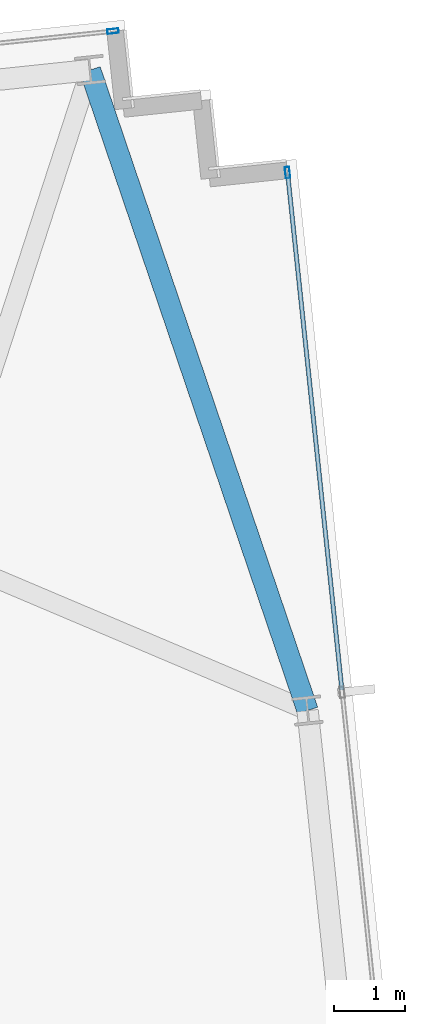
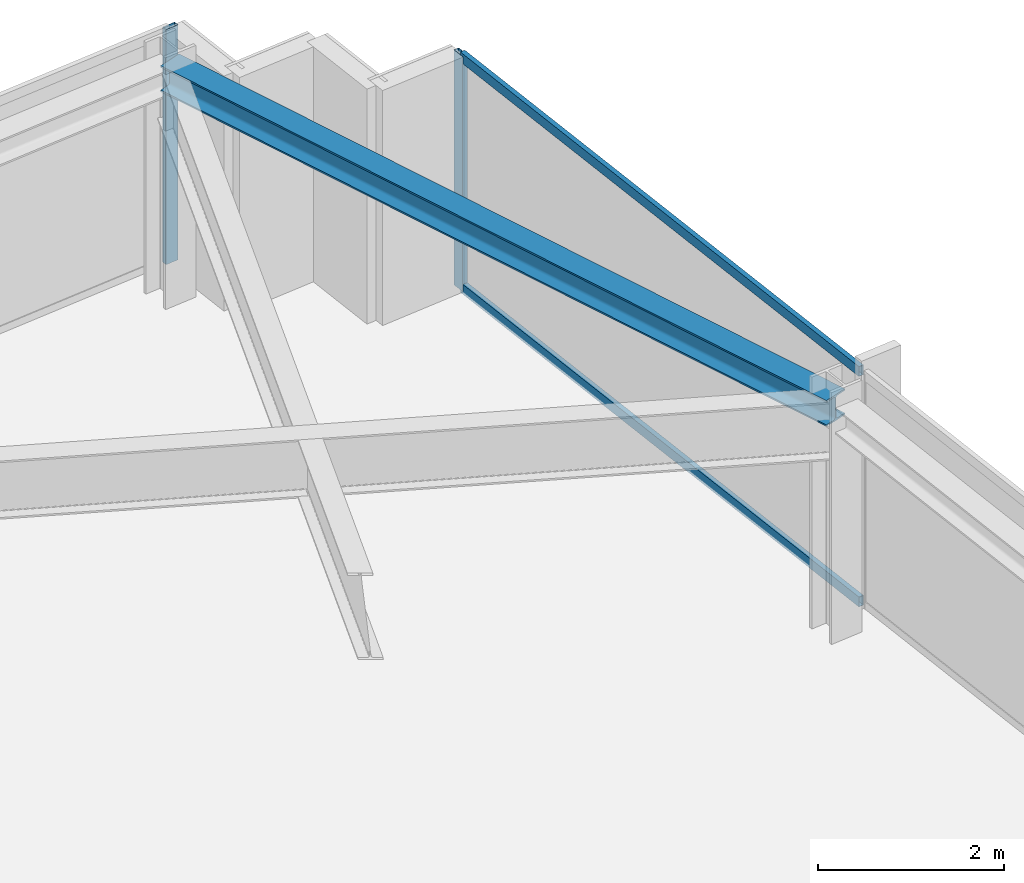
# One storey, part 25 of 32: 4 members, 1 beam, 2 elements without a shape of their own.
"""IFC4 building model written with IfcOpenShell, lengths in metres."""

from ifc_helpers import new_model, si_unit, direction, frame, origin, origin_2d, place, context, subcontext, project, spatial, hollow_rectangle, i_section, extrude, material, material_profile, profile_set, type_object, element, aggregate, save


model = new_model("IFC4")

# Units and contexts
model_context = context("Model", 3, precision=1e-05, world=origin(), true_north=direction((0.0, 1.0)))
body_context = subcontext(model_context, "Body", "Model", "MODEL_VIEW")
ifc_project = project(units=[si_unit("LENGTHUNIT", "METRE"), si_unit("AREAUNIT", "SQUARE_METRE"), si_unit("VOLUMEUNIT", "CUBIC_METRE"), si_unit("PLANEANGLEUNIT", "RADIAN"), si_unit("MASSUNIT", "GRAM", prefix="KILO")], contexts=[model_context])

# Site, building, storey
site_placement = place(None, origin())
site = spatial("IfcSite", under=ifc_project, at=site_placement, CompositionType="ELEMENT")
building_placement = place(site_placement, origin())
building = spatial("IfcBuilding", under=site, at=building_placement, Name="Yelkora Congress Tower", CompositionType="ELEMENT")
storey_placement = place(building_placement, frame((0.0, 0.0, 217.699951171875)))
storey = spatial("IfcBuildingStorey", under=building, at=storey_placement, Name="L60", CompositionType="ELEMENT", Elevation=217.699951171875)

# Beam
ifc_material_1 = material(Name="Steel S355J2", Category="steel")
ifc_material_profile_1 = material_profile(ifc_material_1, i_section(OverallWidth=0.300048828125, OverallDepth=0.340087890625, WebThickness=0.011962890625, FlangeThickness=0.021484375, FilletRadius=0.027099609375, at=origin_2d()), Name="HEB 340")
ifc_profile_set_1 = profile_set([ifc_material_profile_1], Name="Steel S355J2")
beam_type = type_object("IfcBeamType", Name="BM-SPAN-HEB340", PredefinedType="SPANDREL", material=ifc_profile_set_1)
beam_placement = place(storey_placement, frame((68.85400390625, 41.431884765625, 2.91015625), z_axis=(-0.321575477611, 0.946883948644, 0.0), x_axis=(-0.946883948644, -0.321575477611, 0.0)))
element("IfcBeam", 1, at=beam_placement, inside=storey, type_object=beam_type, Name="L60 Perimeter Beam 12", PredefinedType="SPANDREL", context=body_context, shape_type="SweptSolid", body=[
    extrude(i_section(OverallWidth=0.300048828125, OverallDepth=0.340087890625, WebThickness=0.011962890625, FlangeThickness=0.021484375, FilletRadius=0.027099609375, at=origin_2d()), origin(), (0.0, 0.0, 1.0), 9.509765625),
])

# Curtain wall, member
ifc_material_2 = material(Name="Anodised aluminium and insulated glass", Category="aluminium")
curtain_wall_type = type_object("IfcCurtainWallType", Name="CW-SYS-B4", PredefinedType="NOTDEFINED", material=ifc_material_2)
curtain_wall_1_placement = place(storey_placement, origin())
curtain_wall_1 = element("IfcCurtainWall", 2, at=curtain_wall_1_placement, inside=storey, type_object=curtain_wall_type, Name="L60 Unitised Curtain Wall 10 (3)", PredefinedType="NOTDEFINED")
ifc_material_3 = material(Name="Anodised aluminium 6063-T6", Category="aluminium")
ifc_material_profile_2 = material_profile(ifc_material_3, hollow_rectangle(XDim=0.06494140625, YDim=0.159912109375, WallThickness=0.00390625, at=origin_2d()), Name="ALU 65x160x4")
ifc_profile_set_2 = profile_set([ifc_material_profile_2], Name="Anodised aluminium 6063-T6")
member_type_1 = type_object("IfcMemberType", Name="MEM-ML-B4", PredefinedType="MULLION", material=ifc_profile_set_2)
member_1_placement = place(storey_placement, frame((66.1181640625, 50.983154296875, 0.0), z_axis=(0.0, 0.0, 1.0), x_axis=(-0.104527724021, 0.994521973066, 0.0)))
member_1 = element("IfcMember", 3, at=member_1_placement, type_object=member_type_1, Name="CW-B4 mullion 7", PredefinedType="MULLION", context=body_context, shape_type="SweptSolid", body=[
    extrude(hollow_rectangle(XDim=0.06494140625, YDim=0.159912109375, WallThickness=0.00390625, at=origin_2d()), origin(), (0.0, 0.0, 1.0), 3.080078125),
])
aggregate(curtain_wall_1, [member_1])

# Curtain wall, members
curtain_wall_2_placement = place(storey_placement, origin())
curtain_wall_2 = element("IfcCurtainWall", 4, at=curtain_wall_2_placement, inside=storey, type_object=curtain_wall_type, Name="L60 Unitised Curtain Wall 15", PredefinedType="NOTDEFINED")
member_2_placement = place(storey_placement, frame((68.57177734375, 48.996337890625, 0.0), z_axis=(0.0, 0.0, 1.0), x_axis=(0.994522182968, 0.104525726898, 0.0)))
member_2 = element("IfcMember", 5, at=member_2_placement, type_object=member_type_1, Name="CW-B4 mullion 1", PredefinedType="MULLION", context=body_context, shape_type="SweptSolid", body=[
    extrude(hollow_rectangle(XDim=0.06494140625, YDim=0.159912109375, WallThickness=0.00390625, at=origin_2d()), origin(), (0.0, 0.0, 1.0), 3.080078125),
])
ifc_material_profile_3 = material_profile(ifc_material_3, hollow_rectangle(XDim=0.06005859375, YDim=0.1298828125, WallThickness=0.00390625, at=origin_2d()), Name="ALU 60x130x4")
ifc_profile_set_3 = profile_set([ifc_material_profile_3], Name="Anodised aluminium 6063-T6")
member_type_2 = type_object("IfcMemberType", Name="MEM-TR-B4", PredefinedType="USERDEFINED", material=ifc_profile_set_3)
member_3_placement = place(storey_placement, frame((68.5751953125, 48.9638671875, 0.030029296875), z_axis=(0.104531210832, -0.994521606584, 0.0), x_axis=(0.994521606584, 0.104531210832, 0.0)))
member_3 = element("IfcMember", 6, at=member_3_placement, type_object=member_type_2, Name="CW-B4 transom 1.1", ObjectType="TRANSOM", PredefinedType="USERDEFINED", context=body_context, shape_type="SweptSolid", body=[
    extrude(hollow_rectangle(XDim=0.06005859375, YDim=0.1298828125, WallThickness=0.00390625, at=origin_2d()), origin(), (0.0, 0.0, 1.0), 7.2822265625),
])
member_4_placement = place(storey_placement, frame((68.5751953125, 48.9638671875, 3.050048828125), z_axis=(0.104531210832, -0.994521606584, 0.0), x_axis=(0.994521606584, 0.104531210832, 0.0)))
member_4 = element("IfcMember", 7, at=member_4_placement, type_object=member_type_2, Name="CW-B4 transom 1.2", ObjectType="TRANSOM", PredefinedType="USERDEFINED", context=body_context, shape_type="SweptSolid", body=[
    extrude(hollow_rectangle(XDim=0.06005859375, YDim=0.1298828125, WallThickness=0.00390625, at=origin_2d()), origin(), (0.0, 0.0, 1.0), 7.2822265625),
])
aggregate(curtain_wall_2, [member_2, member_3, member_4])

save(model, "model.ifc")
